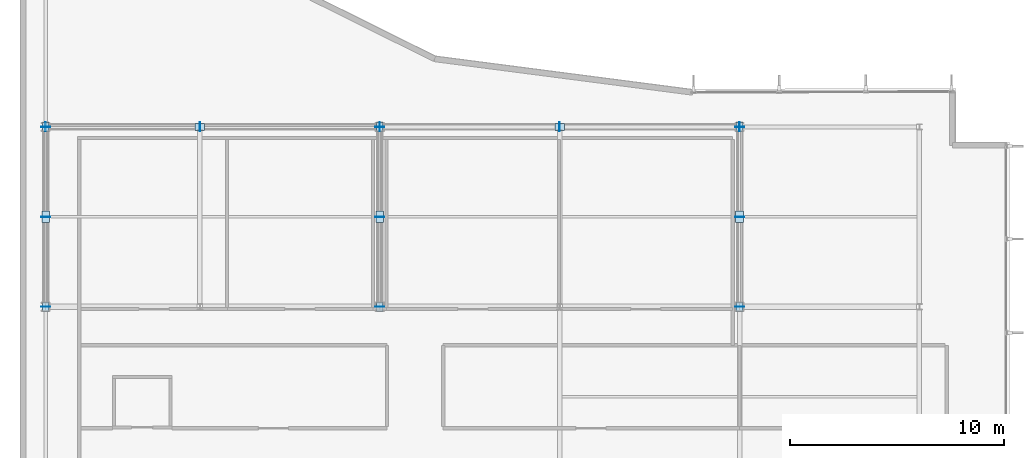
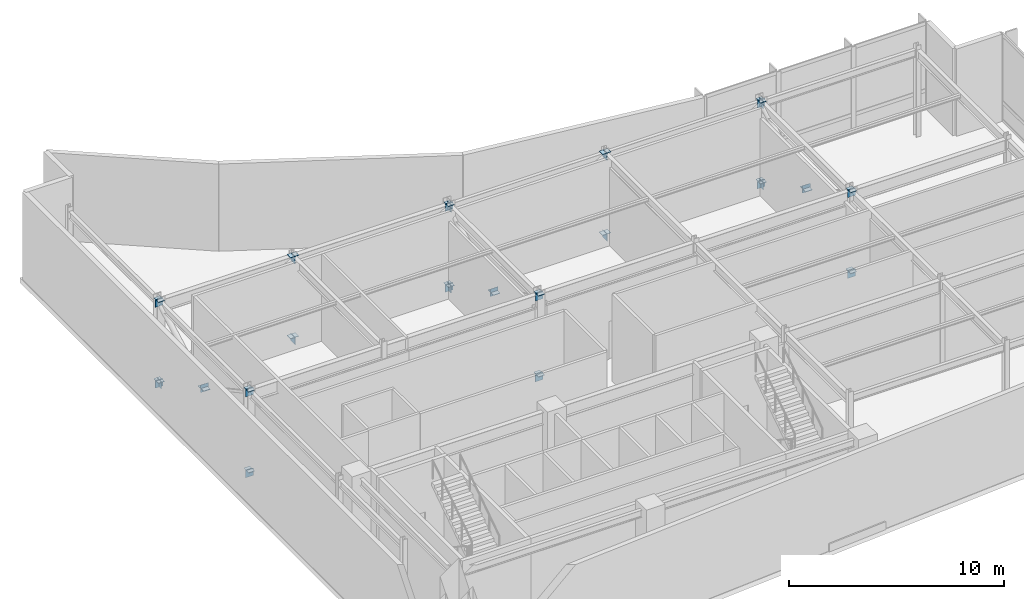
# One storey, part 9 of 15: 43 plates.
"""IFC4 building model written with IfcOpenShell, lengths in metres."""

from ifc_helpers import new_model, si_unit, direction, frame, origin, origin_2d, place, context, subcontext, project, spatial, rectangle, extrude, material, layer, layer_set, type_object, element, save


model = new_model("IFC4")

# Units and contexts
model_context = context("Model", 3, precision=1e-05, world=origin(), true_north=direction((0.0, 1.0)))
body_context = subcontext(model_context, "Body", "Model", "MODEL_VIEW")
ifc_project = project(units=[si_unit("LENGTHUNIT", "METRE"), si_unit("AREAUNIT", "SQUARE_METRE"), si_unit("VOLUMEUNIT", "CUBIC_METRE"), si_unit("PLANEANGLEUNIT", "RADIAN"), si_unit("MASSUNIT", "GRAM", prefix="KILO")], contexts=[model_context])

# Site, building, storey
site_placement = place(None, origin())
site = spatial("IfcSite", under=ifc_project, at=site_placement, CompositionType="ELEMENT")
building_placement = place(site_placement, origin())
building = spatial("IfcBuilding", under=site, at=building_placement, Name="Varnakote Quay Hospital", CompositionType="ELEMENT")
storey_placement = place(building_placement, frame((0.0, 0.0, 235.550048828125)))
storey = spatial("IfcBuildingStorey", under=building, at=storey_placement, Name="L58", CompositionType="ELEMENT", Elevation=235.550048828125)

# Plates
ifc_material_1 = material(Name="Structural steel AS/NZS 3678 Grade 350 (fy 340 MPa)", Category="steel")
ifc_layer_1 = layer(ifc_material_1, 0.02001953125)
ifc_layer_set_1 = layer_set([ifc_layer_1], Name="Structural steel AS/NZS 3678 Grade 350 (fy 340 MPa)")
plate_type_1 = type_object("IfcPlateType", Name="PLT-ENDCAP-420x420x20", PredefinedType="USERDEFINED", material=ifc_layer_set_1)
for number, where, z_axis, x_axis, name in (
    (1, (1.199951171875, 20.39990234375, -0.030029296875), (0.0, 0.0, 1.0), (0.0, 1.0, 0.0), "L58 Hollow Section Sealed End Cap Plate"),
    (2, (1.199951171875, 28.800048828125, -0.030029296875), (0.0, 0.0, 1.0), (0.0, 1.0, 0.0), "L58 Hollow Section Sealed End Cap Plate"),
    (3, (1.199951171875, 28.800048828125, 4.570068359375), (0.0, 0.0, 1.0), (0.0, 1.0, 0.0), "L58 Hollow Section Sealed End Cap Plate"),
    (4, (1.199951171875, 24.60009765625, 2.27001953125), (0.0, 0.0, 1.0), (0.0, 1.0, 0.0), "L58 Hollow Section Sealed End Cap Plate"),
    (5, (1.199951171875, 20.39990234375, 4.570068359375), (0.0, 0.0, 1.0), (0.0, 1.0, 0.0), "L58 Hollow Section Sealed End Cap Plate"),
    (6, (16.800048828125, 20.39990234375, -0.030029296875), (0.0, 0.0, 1.0), (0.0, 1.0, 0.0), "L58 Hollow Section Sealed End Cap Plate"),
    (7, (16.800048828125, 28.800048828125, -0.030029296875), (0.0, 0.0, 1.0), (0.0, 1.0, 0.0), "L58 Hollow Section Sealed End Cap Plate"),
    (8, (16.800048828125, 28.800048828125, 4.570068359375), (0.0, 0.0, 1.0), (0.0, 1.0, 0.0), "L58 Hollow Section Sealed End Cap Plate"),
    (9, (16.800048828125, 24.60009765625, 2.27001953125), (0.0, 0.0, 1.0), (0.0, 1.0, 0.0), "L58 Hollow Section Sealed End Cap Plate"),
    (10, (16.800048828125, 20.39990234375, 4.570068359375), (0.0, 0.0, 1.0), (0.0, 1.0, 0.0), "L58 Hollow Section Sealed End Cap Plate"),
    (11, (33.60009765625, 20.39990234375, -0.030029296875), (0.0, 0.0, 1.0), (0.0, 1.0, 0.0), "L58 Hollow Section Sealed End Cap Plate"),
    (12, (33.60009765625, 28.800048828125, -0.030029296875), (0.0, 0.0, 1.0), (0.0, 1.0, 0.0), "L58 Hollow Section Sealed End Cap Plate"),
    (13, (33.60009765625, 28.800048828125, 4.570068359375), (0.0, 0.0, 1.0), (0.0, 1.0, 0.0), "L58 Hollow Section Sealed End Cap Plate"),
    (14, (33.60009765625, 24.60009765625, 2.27001953125), (0.0, 0.0, 1.0), (0.0, 1.0, 0.0), "L58 Hollow Section Sealed End Cap Plate"),
    (15, (33.60009765625, 20.39990234375, 4.570068359375), (0.0, 0.0, 1.0), (0.0, 1.0, 0.0), "L58 Hollow Section Sealed End Cap Plate"),
    (16, (1.199951171875, 28.800048828125, -0.030029296875), (0.0, 0.0, 1.0), (1.0, 0.0, 0.0), "L58 Hollow Section Sealed End Cap Plate"),
    (17, (8.39990234375, 28.800048828125, -0.030029296875), (0.0, 0.0, 1.0), (1.0, 0.0, 0.0), "L58 Hollow Section Sealed End Cap Plate"),
    (18, (8.39990234375, 28.800048828125, 4.570068359375), (0.0, 0.0, 1.0), (1.0, 0.0, 0.0), "L58 Hollow Section Sealed End Cap Plate"),
    (19, (16.800048828125, 28.800048828125, -0.030029296875), (0.0, 0.0, 1.0), (1.0, 0.0, 0.0), "L58 Hollow Section Sealed End Cap Plate"),
    (20, (16.800048828125, 28.800048828125, 4.570068359375), (0.0, 0.0, 1.0), (1.0, 0.0, 0.0), "L58 Hollow Section Sealed End Cap Plate"),
    (21, (25.199951171875, 28.800048828125, -0.030029296875), (0.0, 0.0, 1.0), (1.0, 0.0, 0.0), "L58 Hollow Section Sealed End Cap Plate"),
    (22, (25.199951171875, 28.800048828125, 4.570068359375), (0.0, 0.0, 1.0), (1.0, 0.0, 0.0), "L58 Hollow Section Sealed End Cap Plate"),
    (23, (33.60009765625, 28.800048828125, -0.030029296875), (0.0, 0.0, 1.0), (1.0, 0.0, 0.0), "L58 Hollow Section Sealed End Cap Plate"),
    (24, (33.60009765625, 28.800048828125, 4.570068359375), (0.0, 0.0, 1.0), (1.0, 0.0, 0.0), "L58 Hollow Section Sealed End Cap Plate"),
):
    element("IfcPlate", number, at=place(storey_placement, frame(where, z_axis=z_axis, x_axis=x_axis)), inside=storey, type_object=plate_type_1, Name=name, ObjectType="END_CAP_PLATE", PredefinedType="USERDEFINED", context=body_context, shape_type="SweptSolid", body=[
        extrude(rectangle(XDim=0.02001953125, YDim=0.419921875, at=origin_2d()), origin(), (0.0, 0.0, 1.0), 0.419921875),
    ])
ifc_material_2 = material(Name="Structural steel AS/NZS 3678 Grade 350 (fy 340 MPa)", Category="steel")
ifc_layer_2 = layer(ifc_material_2, 0.02490234375)
ifc_layer_set_2 = layer_set([ifc_layer_2], Name="Structural steel AS/NZS 3678 Grade 350 (fy 340 MPa)")
plate_type_2 = type_object("IfcPlateType", Name="PLT-GUSSET-450x320x25", PredefinedType="USERDEFINED", material=ifc_layer_set_2)
for number, where, z_axis, x_axis, name in (
    (25, (1.199951171875, 20.39990234375, 0.347412109375), (0.0, 0.0, 1.0), (0.0, 1.0, 0.0), "L58 Truss Concentric Node Gusset Plate"),
    (26, (1.199951171875, 28.800048828125, 0.347412109375), (0.0, 0.0, 1.0), (0.0, 1.0, 0.0), "L58 Truss Concentric Node Gusset Plate"),
    (27, (1.199951171875, 20.39990234375, 4.947509765625), (0.0, 0.0, 1.0), (0.0, 1.0, 0.0), "L58 Truss Concentric Node Gusset Plate"),
    (28, (1.199951171875, 28.800048828125, 4.947509765625), (0.0, 0.0, 1.0), (0.0, 1.0, 0.0), "L58 Truss Concentric Node Gusset Plate"),
    (29, (16.800048828125, 20.39990234375, 0.347412109375), (0.0, 0.0, 1.0), (0.0, 1.0, 0.0), "L58 Truss Concentric Node Gusset Plate"),
    (30, (16.800048828125, 28.800048828125, 0.347412109375), (0.0, 0.0, 1.0), (0.0, 1.0, 0.0), "L58 Truss Concentric Node Gusset Plate"),
    (31, (16.800048828125, 20.39990234375, 4.947509765625), (0.0, 0.0, 1.0), (0.0, 1.0, 0.0), "L58 Truss Concentric Node Gusset Plate"),
    (32, (16.800048828125, 28.800048828125, 4.947509765625), (0.0, 0.0, 1.0), (0.0, 1.0, 0.0), "L58 Truss Concentric Node Gusset Plate"),
    (33, (33.60009765625, 20.39990234375, 0.347412109375), (0.0, 0.0, 1.0), (0.0, 1.0, 0.0), "L58 Truss Concentric Node Gusset Plate"),
    (34, (33.60009765625, 28.800048828125, 0.347412109375), (0.0, 0.0, 1.0), (0.0, 1.0, 0.0), "L58 Truss Concentric Node Gusset Plate"),
    (35, (33.60009765625, 20.39990234375, 4.947509765625), (0.0, 0.0, 1.0), (0.0, 1.0, 0.0), "L58 Truss Concentric Node Gusset Plate"),
    (36, (33.60009765625, 28.800048828125, 4.947509765625), (0.0, 0.0, 1.0), (0.0, 1.0, 0.0), "L58 Truss Concentric Node Gusset Plate"),
    (37, (8.39990234375, 28.800048828125, 0.347412109375), (0.0, 0.0, 1.0), (1.0, 0.0, 0.0), "L58 Truss Concentric Node Gusset Plate"),
    (38, (8.39990234375, 28.800048828125, 4.947509765625), (0.0, 0.0, 1.0), (1.0, 0.0, 0.0), "L58 Truss Concentric Node Gusset Plate"),
    (39, (25.199951171875, 28.800048828125, 0.347412109375), (0.0, 0.0, 1.0), (1.0, 0.0, 0.0), "L58 Truss Concentric Node Gusset Plate"),
    (40, (25.199951171875, 28.800048828125, 4.947509765625), (0.0, 0.0, 1.0), (1.0, 0.0, 0.0), "L58 Truss Concentric Node Gusset Plate"),
):
    element("IfcPlate", number, at=place(storey_placement, frame(where, z_axis=z_axis, x_axis=x_axis)), inside=storey, type_object=plate_type_2, Name=name, ObjectType="GUSSET_PLATE", PredefinedType="USERDEFINED", context=body_context, shape_type="SweptSolid", body=[
        extrude(rectangle(XDim=0.449951171875, YDim=0.320068359375, at=origin_2d()), origin(), (0.0, 0.0, 1.0), 0.02490234375),
    ])
ifc_material_3 = material(Name="Structural steel AS/NZS 3678 Grade 350 (fy 340 MPa)", Category="steel")
ifc_layer_3 = layer(ifc_material_3, 0.031982421875)
ifc_layer_set_3 = layer_set([ifc_layer_3], Name="Structural steel AS/NZS 3678 Grade 350 (fy 340 MPa)")
plate_type_3 = type_object("IfcPlateType", Name="PLT-GUSSET-520x360x32", PredefinedType="USERDEFINED", material=ifc_layer_set_3)
for number, where, z_axis, x_axis, name in (
    (41, (1.199951171875, 24.60009765625, 2.4638671875), (0.0, 0.0, 1.0), (0.0, 1.0, 0.0), "L58 X-Brace Crossing Slotted Gusset Plate"),
    (42, (16.800048828125, 24.60009765625, 2.4638671875), (0.0, 0.0, 1.0), (0.0, 1.0, 0.0), "L58 X-Brace Crossing Slotted Gusset Plate"),
    (43, (33.60009765625, 24.60009765625, 2.4638671875), (0.0, 0.0, 1.0), (0.0, 1.0, 0.0), "L58 X-Brace Crossing Slotted Gusset Plate"),
):
    element("IfcPlate", number, at=place(storey_placement, frame(where, z_axis=z_axis, x_axis=x_axis)), inside=storey, type_object=plate_type_3, Name=name, ObjectType="GUSSET_PLATE", PredefinedType="USERDEFINED", context=body_context, shape_type="SweptSolid", body=[
        extrude(rectangle(XDim=0.52001953125, YDim=0.360107421875, at=origin_2d()), origin(), (0.0, 0.0, 1.0), 0.031982421875),
    ])

save(model, "model.ifc")
